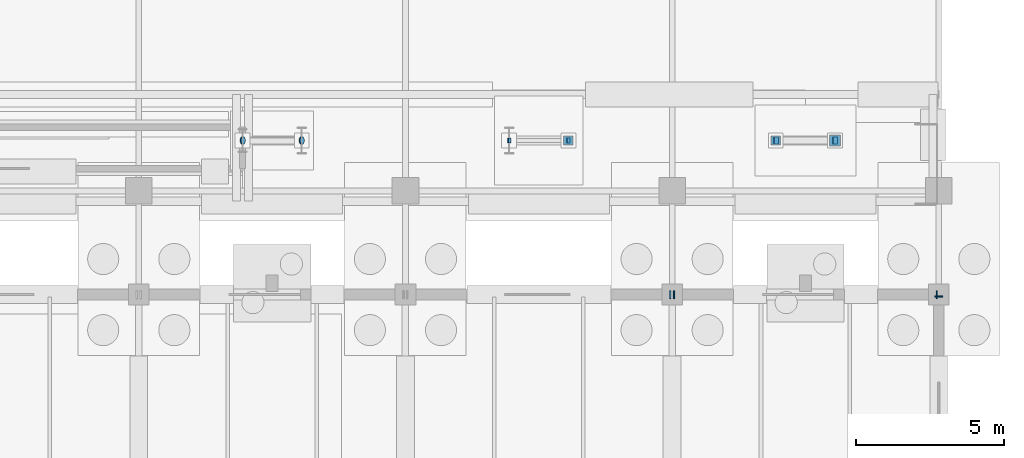
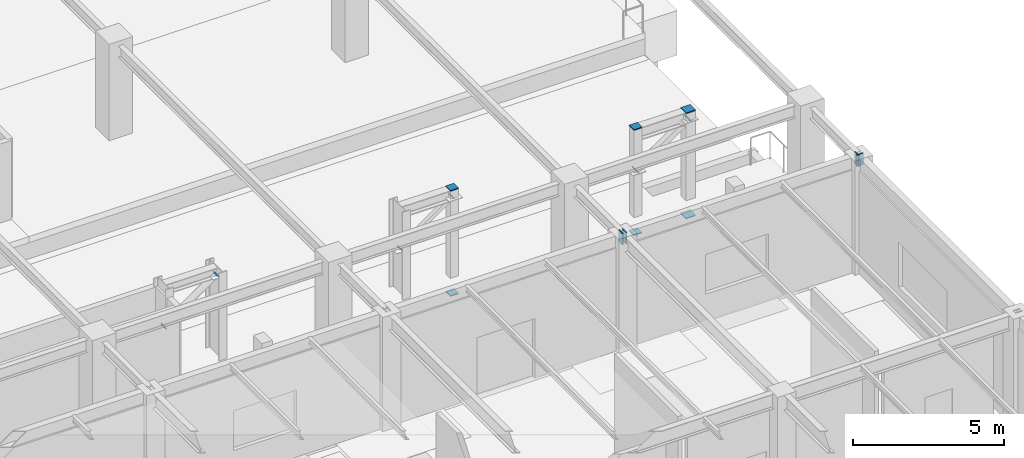
# One storey, part 140 of 160: 16 discrete accessories.
"""IFC4 building model written with IfcOpenShell, lengths in metres."""

from ifc_helpers import new_model, si_unit, direction, frame, origin, origin_2d, place, context, subcontext, project, spatial, rectangle, circle, extrude, material, element, save


model = new_model("IFC4")

# Units and contexts
model_context = context("Model", 3, precision=1e-05, world=origin(), true_north=direction((0.0, 1.0)))
body_context = subcontext(model_context, "Body", "Model", "MODEL_VIEW")
ifc_project = project(units=[si_unit("LENGTHUNIT", "METRE"), si_unit("AREAUNIT", "SQUARE_METRE"), si_unit("VOLUMEUNIT", "CUBIC_METRE"), si_unit("PLANEANGLEUNIT", "RADIAN"), si_unit("MASSUNIT", "GRAM", prefix="KILO")], contexts=[model_context])

# Site, building, storey
site_placement = place(None, origin())
site = spatial("IfcSite", under=ifc_project, at=site_placement, CompositionType="ELEMENT")
building_placement = place(site_placement, origin())
building = spatial("IfcBuilding", under=site, at=building_placement, Name="Marlcrest Central Station", CompositionType="ELEMENT")
storey_placement = place(building_placement, origin())
storey = spatial("IfcBuildingStorey", under=building, at=storey_placement, Name="L00", CompositionType="ELEMENT", Elevation=0.0)

# Discrete accessories
ifc_material = material(Name="Steel S355", Category="steel")
for number, where, z_axis, x_axis, name in (
    (1, (206.9150390625, 33.0, 4.3798828125), (1.0, 0.0, 0.0), (0.0, 1.0, 0.0), "endcap-bm-SP-02-L00-00780-e"),
    (2, (207.045166015625, 33.0, 4.3798828125), (1.0, 0.0, 0.0), (0.0, 1.0, 0.0), "endcap-bm-SP-02-L00-00781-s"),
    (3, (215.9150390625, 33.0, 4.3798828125), (1.0, 0.0, 0.0), (0.0, 1.0, 0.0), "endcap-bm-SP-02-L00-00781-e"),
    (4, (216.0, 32.9150390625, 4.3798828125), (0.0, 1.0, 0.0), (-1.0, 0.0, 0.0), "endcap-bm-SP-02-L00-00808-e"),
):
    element("IfcDiscreteAccessory", number, at=place(storey_placement, frame(where, z_axis=z_axis, x_axis=x_axis)), inside=storey, material=ifc_material, Name=name, ObjectType="END_CAP_PLATE", PredefinedType="BRACKET", context=body_context, shape_type="SweptSolid", body=[
        extrude(rectangle(XDim=0.26611328125, YDim=0.466064453125, at=origin_2d()), origin(), (0.0, 0.0, 1.0), 0.0400390625),
    ])
for number, where, z_axis, x_axis, name in (
    (5, (192.48779296875, 38.199951171875, 2.69140625), (0.819203731481, 0.0, 0.57350261231), (0.0, 1.0, 0.0), "endcap-mem-BF-09-L00-02556-s"),
    (6, (194.4794921875, 38.199951171875, 4.085693359375), (0.819203731481, 0.0, 0.57350261231), (0.0, 1.0, 0.0), "endcap-mem-BF-09-L00-02556-e"),
):
    element("IfcDiscreteAccessory", number, at=place(storey_placement, frame(where, z_axis=z_axis, x_axis=x_axis)), inside=storey, material=ifc_material, Name=name, ObjectType="END_CAP_PLATE", PredefinedType="BRACKET", context=body_context, shape_type="SweptSolid", body=[
        extrude(circle(Radius=0.13037109375, at=origin_2d()), origin(), (0.0, 0.0, 1.0), 0.0400390625),
    ])
for number, where, z_axis, x_axis, name in (
    (7, (203.5, 38.199951171875, 0.18505859375), (0.0, 0.0, 1.0), (1.0, 0.0, 0.0), "endcap-col-SC-19-L00-0930-s"),
    (8, (203.5, 38.199951171875, 4.425048828125), (0.0, 0.0, 1.0), (1.0, 0.0, 0.0), "endcap-col-SC-19-L00-0930-e"),
):
    element("IfcDiscreteAccessory", number, at=place(storey_placement, frame(where, z_axis=z_axis, x_axis=x_axis)), inside=storey, material=ifc_material, Name=name, ObjectType="END_CAP_PLATE", PredefinedType="BRACKET", context=body_context, shape_type="SweptSolid", body=[
        extrude(rectangle(XDim=0.31591796875, YDim=0.31591796875, at=origin_2d()), origin(), (0.0, 0.0, 1.0), 0.0400390625),
    ])
for number, where, z_axis, x_axis, name in (
    (9, (201.48779296875, 38.199951171875, 2.69140625), (0.819203731481, 0.0, 0.57350261231), (0.0, 1.0, 0.0), "endcap-mem-BF-05-L00-02558-s"),
    (10, (203.4794921875, 38.199951171875, 4.085693359375), (0.819203731481, 0.0, 0.57350261231), (0.0, 1.0, 0.0), "endcap-mem-BF-05-L00-02558-e"),
):
    element("IfcDiscreteAccessory", number, at=place(storey_placement, frame(where, z_axis=z_axis, x_axis=x_axis)), inside=storey, material=ifc_material, Name=name, ObjectType="END_CAP_PLATE", PredefinedType="BRACKET", context=body_context, shape_type="SweptSolid", body=[
        extrude(rectangle(XDim=0.166015625, YDim=0.166015625, at=origin_2d()), origin(), (0.0, 0.0, 1.0), 0.0400390625),
    ])
for number, where, z_axis, x_axis, name in (
    (11, (210.5, 38.199951171875, 0.18505859375), (0.0, 0.0, 1.0), (1.0, 0.0, 0.0), "endcap-col-SC-19-L00-0933-s"),
    (12, (210.5, 38.199951171875, 4.425048828125), (0.0, 0.0, 1.0), (1.0, 0.0, 0.0), "endcap-col-SC-19-L00-0933-e"),
):
    element("IfcDiscreteAccessory", number, at=place(storey_placement, frame(where, z_axis=z_axis, x_axis=x_axis)), inside=storey, material=ifc_material, Name=name, ObjectType="END_CAP_PLATE", PredefinedType="BRACKET", context=body_context, shape_type="SweptSolid", body=[
        extrude(rectangle(XDim=0.31591796875, YDim=0.31591796875, at=origin_2d()), origin(), (0.0, 0.0, 1.0), 0.0400390625),
    ])
for number, where, z_axis, x_axis, name in (
    (13, (212.5, 38.199951171875, 0.18505859375), (0.0, 0.0, 1.0), (1.0, 0.0, 0.0), "endcap-col-SC-20-L00-0934-s"),
    (14, (212.5, 38.199951171875, 4.425048828125), (0.0, 0.0, 1.0), (1.0, 0.0, 0.0), "endcap-col-SC-20-L00-0934-e"),
):
    element("IfcDiscreteAccessory", number, at=place(storey_placement, frame(where, z_axis=z_axis, x_axis=x_axis)), inside=storey, material=ifc_material, Name=name, ObjectType="END_CAP_PLATE", PredefinedType="BRACKET", context=body_context, shape_type="SweptSolid", body=[
        extrude(rectangle(XDim=0.365966796875, YDim=0.365966796875, at=origin_2d()), origin(), (0.0, 0.0, 1.0), 0.0400390625),
    ])
for number, where, z_axis, x_axis, name in (
    (15, (210.48779296875, 38.199951171875, 2.69140625), (0.819203731481, 0.0, 0.57350261231), (0.0, 1.0, 0.0), "endcap-mem-BF-06-L00-02560-s"),
    (16, (212.4794921875, 38.199951171875, 4.085693359375), (0.819203731481, 0.0, 0.57350261231), (0.0, 1.0, 0.0), "endcap-mem-BF-06-L00-02560-e"),
):
    element("IfcDiscreteAccessory", number, at=place(storey_placement, frame(where, z_axis=z_axis, x_axis=x_axis)), inside=storey, material=ifc_material, Name=name, ObjectType="END_CAP_PLATE", PredefinedType="BRACKET", context=body_context, shape_type="SweptSolid", body=[
        extrude(rectangle(XDim=0.236083984375, YDim=0.236083984375, at=origin_2d()), origin(), (0.0, 0.0, 1.0), 0.0400390625),
    ])

save(model, "model.ifc")
